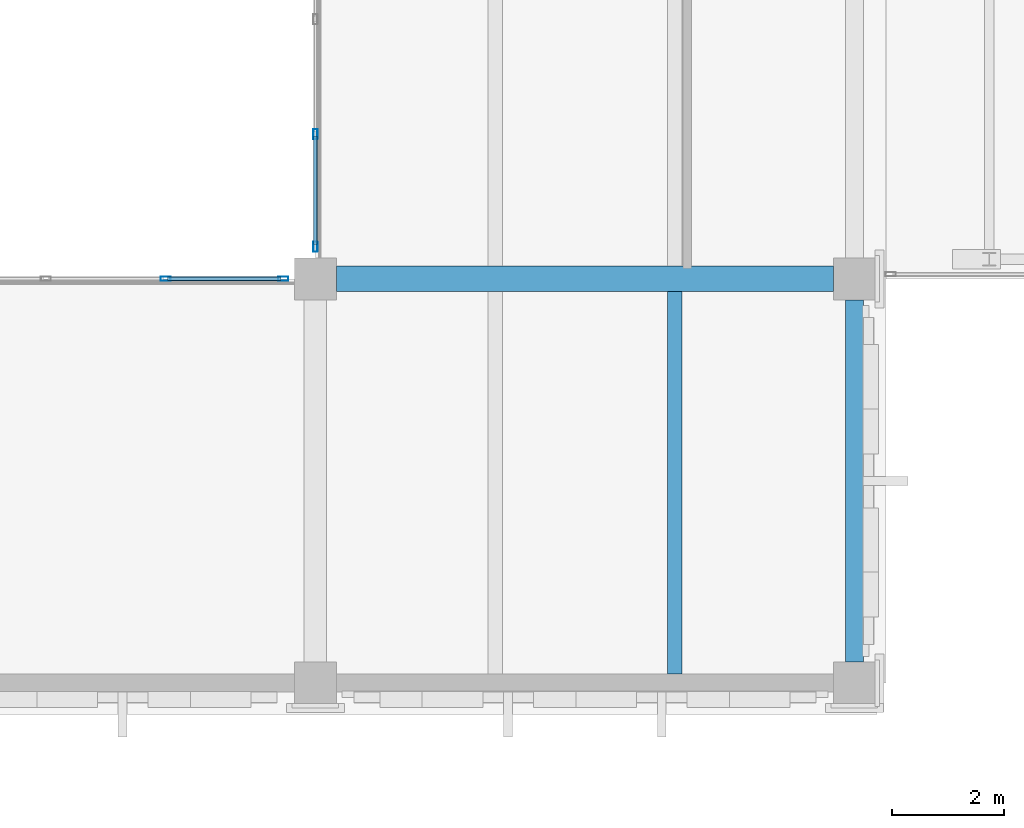
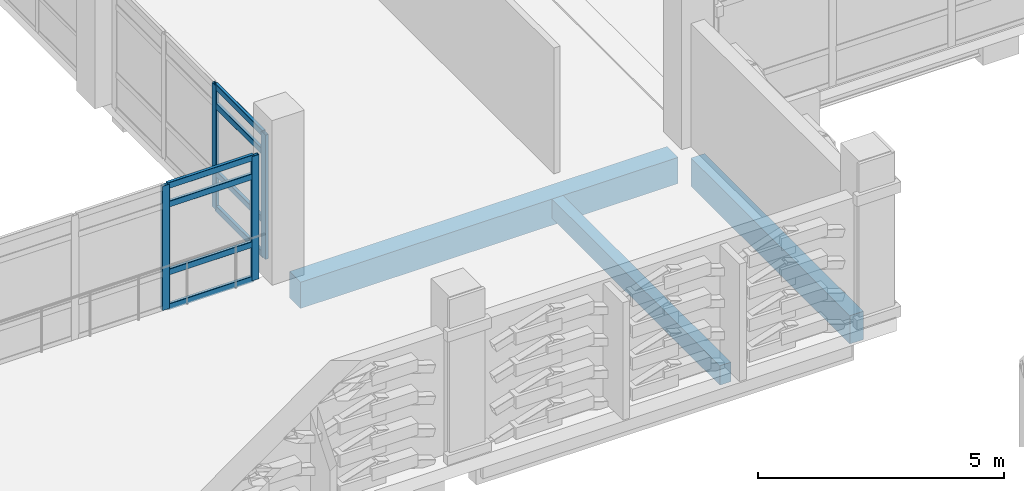
# One storey, part 100 of 180: 12 members, 3 beams, 2 elements without a shape of their own.
"""IFC4 building model written with IfcOpenShell, lengths in metres."""

import ifcopenshell
import ifcopenshell.guid

model = None  # the IFC model being written
_history = None  # IfcOwnerHistory: only IFC2X3 demands one
_inside = {}  # id of a spatial element -> (the spatial element, [elements in it])
_under = {}  # id of a project, library or spatial element -> (it, [spatial elements below it])
_declared = {}  # id of a project -> (the project, [libraries it declares])
_typed = {}  # id of a type object -> (the type object, [elements of that type])
_made_of = {}  # id of a material, layer set ... -> (it, [elements and type objects made of it])


def new_model(schema):
    """Start an empty IFC model of exactly this schema.

    Asked for "IFC4X3", IfcOpenShell would pick the latest addendum, in which some entities
    have other attributes; the version numbers below select the first issue.
    IFC2X3 requires an IfcOwnerHistory on every rooted entity: one is made here for all.
    """
    global model, _history
    if schema == "IFC4X3":
        model = ifcopenshell.file(schema_version=(4, 3, 0, 0))
    else:
        model = ifcopenshell.file(schema=schema)
    _inside.clear()
    _under.clear()
    _declared.clear()
    _typed.clear()
    _made_of.clear()
    _history = None
    if model.schema == "IFC2X3":
        org = make("IfcOrganization", Name="unknown")
        user = make(
            "IfcPersonAndOrganization",
            ThePerson=make("IfcPerson", FamilyName="unknown"),
            TheOrganization=org,
        )
        app = make(
            "IfcApplication",
            ApplicationDeveloper=org,
            Version="unknown",
            ApplicationFullName="unknown",
            ApplicationIdentifier="unknown",
        )
        _history = make(
            "IfcOwnerHistory",
            OwningUser=user,
            OwningApplication=app,
            ChangeAction="ADDED",
            CreationDate=0,
        )
    return model


def make(cls, **values):
    """One entity of the class cls with the attributes given. An attribute that is None is left unset."""
    return model.create_entity(
        cls, **{name: value for name, value in values.items() if value is not None}
    )


def rooted(cls, **values):
    """An entity with a GlobalId (a new one), such as an element, a storey or a relation."""
    return make(cls, GlobalId=ifcopenshell.guid.new(), OwnerHistory=_history, **values)


def si_unit(unit_type, name, prefix=None):
    """IfcSIUnit, for example si_unit("LENGTHUNIT", "METRE", prefix="MILLI")."""
    return make("IfcSIUnit", UnitType=unit_type, Prefix=prefix, Name=name)


def assignment(units):
    """IfcUnitAssignment: the units of a project."""
    return None if units is None else make("IfcUnitAssignment", Units=units)


def point(xyz):
    """IfcCartesianPoint."""
    return None if xyz is None else make("IfcCartesianPoint", Coordinates=xyz)


def direction(xyz):
    """IfcDirection."""
    return None if xyz is None else make("IfcDirection", DirectionRatios=xyz)


def frame(location, z_axis=None, x_axis=None):
    """IfcAxis2Placement3D, a coordinate frame: its origin and axes. An axis left out is left unset."""
    return make(
        "IfcAxis2Placement3D",
        Location=point(location),
        Axis=direction(z_axis),
        RefDirection=direction(x_axis),
    )


def frame_2d(location, x_axis=None):
    """IfcAxis2Placement2D, a coordinate frame in the plane: its origin and x axis."""
    return make(
        "IfcAxis2Placement2D", Location=point(location), RefDirection=direction(x_axis)
    )


def origin():
    """The frame at (0, 0, 0) with its axes left unset."""
    return frame((0.0, 0.0, 0.0))


def origin_2d():
    """The frame at (0, 0) in the plane with its x axis left unset."""
    return frame_2d((0.0, 0.0))


def place(relative_to, where):
    """IfcLocalPlacement: puts the frame where relative to a parent placement (None: the world)."""
    return make(
        "IfcLocalPlacement", PlacementRelTo=relative_to, RelativePlacement=where
    )


def context(
    kind, dimensions, precision=None, world=None, true_north=None, identifier=None
):
    """IfcGeometricRepresentationContext, for example the 3D "Model" context."""
    return make(
        "IfcGeometricRepresentationContext",
        ContextIdentifier=identifier,
        ContextType=kind,
        CoordinateSpaceDimension=dimensions,
        Precision=precision,
        WorldCoordinateSystem=world,
        TrueNorth=true_north,
    )


def subcontext(parent, identifier, kind, view, scale=None):
    """IfcGeometricRepresentationSubContext, for example "Body" below "Model"."""
    return make(
        "IfcGeometricRepresentationSubContext",
        ContextIdentifier=identifier,
        ContextType=kind,
        ParentContext=parent,
        TargetScale=scale,
        TargetView=view,
    )


def project(units=None, contexts=None):
    """IfcProject with its units and contexts."""
    return rooted(
        "IfcProject",
        Name="project",
        RepresentationContexts=contexts,
        UnitsInContext=assignment(units),
    )


def spatial(cls, under=None, at=None, **own):
    """A site, building, storey or space (cls), placed at a placement, below another one or the project."""
    s = rooted(cls, ObjectPlacement=at, **own)
    if under is not None:
        _under.setdefault(under.id(), (under, []))[1].append(s)
    return s


def profile(cls, at=None, kind="AREA", **sizes):
    """A parametric profile (cls). Its sizes go by their IFC names, for example OverallWidth=200.0."""
    return make(cls, ProfileType=kind, Position=at, **sizes)


def rectangle(**sizes):
    """IfcRectangleProfileDef."""
    return profile("IfcRectangleProfileDef", **sizes)


def hollow_rectangle(**sizes):
    """IfcRectangleHollowProfileDef."""
    return profile("IfcRectangleHollowProfileDef", **sizes)


def extrude(swept, where, along, depth):
    """IfcExtrudedAreaSolid: the profile swept, set in the frame where, extruded along a direction by depth."""
    return make(
        "IfcExtrudedAreaSolid",
        SweptArea=swept,
        Position=where,
        ExtrudedDirection=direction(along),
        Depth=depth,
    )


def shape(context_of_items, identifier, shape_type, items):
    """IfcShapeRepresentation: the items that make up one representation, for example the "Body"."""
    return make(
        "IfcShapeRepresentation",
        ContextOfItems=context_of_items,
        RepresentationIdentifier=identifier,
        RepresentationType=shape_type,
        Items=items,
    )


def material(Name=None, Category=None):
    """IfcMaterial."""
    return make("IfcMaterial", Name=Name, Category=Category)


def layer(
    of_material, thickness, ventilated=None, Name=None, Category=None, Priority=None
):
    """IfcMaterialLayer: one layer of a wall or slab, of a material (None: an air gap)."""
    return make(
        "IfcMaterialLayer",
        Material=of_material,
        LayerThickness=thickness,
        IsVentilated=ventilated,
        Name=Name,
        Category=Category,
        Priority=Priority,
    )


def layer_set(layers, Name=None):
    """IfcMaterialLayerSet."""
    return make("IfcMaterialLayerSet", MaterialLayers=layers, LayerSetName=Name)


def material_profile(
    of_material, cross_section, Name=None, Category=None, Priority=None
):
    """IfcMaterialProfile: a cross section and its material."""
    return make(
        "IfcMaterialProfile",
        Name=Name,
        Material=of_material,
        Profile=cross_section,
        Priority=Priority,
        Category=Category,
    )


def profile_set(profiles, Name=None, composite=None):
    """IfcMaterialProfileSet."""
    return make(
        "IfcMaterialProfileSet",
        Name=Name,
        MaterialProfiles=profiles,
        CompositeProfile=composite,
    )


def made_of(thing, what):
    """Note that an element or type object is made of a material, layer set ...; save() writes the relation."""
    if what is not None:
        _made_of.setdefault(what.id(), (what, []))[1].append(thing)
    return thing


def type_object(cls, material=None, **own):
    """A type object (cls), such as IfcWallType, which elements share."""
    return made_of(rooted(cls, **own), material)


def element(
    cls,
    number,
    at=None,
    inside=None,
    cuts=None,
    type_object=None,
    material=None,
    context=None,
    identifier="Body",
    shape_type=None,
    held_by="IfcProductDefinitionShape",
    body=None,
    shapes=None,
    **own,
):
    """One element of the class cls, such as IfcWall. Its Tag is "e" and its number.

    at: its placement. inside: the storey or other place that contains it. cuts: it is an
    opening in that element (IfcRelVoidsElement). A single representation is given by context,
    identifier, shape_type and body (its items); several are given by shapes. held_by: the class
    of the entity that holds the representations. save() writes the other relations.
    """
    e = rooted(cls, Tag="e%d" % number, ObjectPlacement=at, **own)
    if body is not None:
        shapes = [shape(context, identifier, shape_type, body)]
    if shapes is not None:
        e.Representation = make(held_by, Representations=shapes)
    if inside is not None:
        _inside.setdefault(inside.id(), (inside, []))[1].append(e)
    if cuts is not None:
        rooted(
            "IfcRelVoidsElement", RelatingBuildingElement=cuts, RelatedOpeningElement=e
        )
    if type_object is not None:
        _typed.setdefault(type_object.id(), (type_object, []))[1].append(e)
    return made_of(e, material)


def aggregate(whole, parts):
    """IfcRelAggregates: a whole, such as a stair, and the parts it consists of."""
    return rooted("IfcRelAggregates", RelatingObject=whole, RelatedObjects=parts)


def save(model, path):
    """Write the relations noted so far, then the file.

    IfcRelAggregates (storeys below a building ...), IfcRelContainedInSpatialStructure (elements
    in a storey), IfcRelDefinesByType, IfcRelAssociatesMaterial and IfcRelDeclares: one each for
    every whole, place, type object, material and project.
    """
    for whole, parts in _under.values():
        aggregate(whole, parts)
    for where, things in _inside.values():
        rooted(
            "IfcRelContainedInSpatialStructure",
            RelatedElements=things,
            RelatingStructure=where,
        )
    for kind, things in _typed.values():
        rooted("IfcRelDefinesByType", RelatedObjects=things, RelatingType=kind)
    for what, things in _made_of.values():
        rooted("IfcRelAssociatesMaterial", RelatedObjects=things, RelatingMaterial=what)
    for by, libraries in _declared.values():
        rooted("IfcRelDeclares", RelatingContext=by, RelatedDefinitions=libraries)
    model.write(path)


model = new_model("IFC4")

# Units and contexts
model_context = context("Model", 3, precision=1e-05, world=origin(), true_north=direction((0.0, 1.0)))
body_context = subcontext(model_context, "Body", "Model", "MODEL_VIEW")
ifc_project = project(units=[si_unit("LENGTHUNIT", "METRE"), si_unit("AREAUNIT", "SQUARE_METRE"), si_unit("VOLUMEUNIT", "CUBIC_METRE"), si_unit("PLANEANGLEUNIT", "RADIAN"), si_unit("MASSUNIT", "GRAM", prefix="KILO")], contexts=[model_context])

# Site, building, storey
site_placement = place(None, origin())
site = spatial("IfcSite", under=ifc_project, at=site_placement, CompositionType="ELEMENT")
building_placement = place(site_placement, origin())
building = spatial("IfcBuilding", under=site, at=building_placement, Name="Asteropetra Specialist Clinic", CompositionType="ELEMENT")
storey_placement = place(building_placement, frame((0.0, 0.0, 4.419921875)))
storey = spatial("IfcBuildingStorey", under=building, at=storey_placement, Name="L01", CompositionType="ELEMENT", Elevation=4.419921875)

# Beam
ifc_material_1 = material(Name="Concrete C35/45", Category="concrete")
ifc_material_profile_1 = material_profile(ifc_material_1, rectangle(XDim=0.449951171875, YDim=0.64990234375, at=origin_2d()), Name="RCB 450x650")
ifc_profile_set_1 = profile_set([ifc_material_profile_1], Name="Concrete C35/45")
beam_type_1 = type_object("IfcBeamType", Name="BM-RC450x650", PredefinedType="BEAM", material=ifc_profile_set_1)
beam_1_placement = place(storey_placement, frame((67.574951171875, 76.800048828125, -0.60498046875), z_axis=(1.0, 0.0, 0.0), x_axis=(0.0, 1.0, 0.0)))
element("IfcBeam", 1, at=beam_1_placement, inside=storey, type_object=beam_type_1, Name="Beam BBM06-0637", PredefinedType="BEAM", context=body_context, shape_type="SweptSolid", body=[
    extrude(rectangle(XDim=0.449951171875, YDim=0.64990234375, at=origin_2d()), origin(), (0.0, 0.0, 1.0), 8.85009765625),
])

# Curtain wall, members
ifc_material_2 = material(Name="Aluminium and low-E glass", Category="aluminium")
ifc_layer_1 = layer(ifc_material_2, 0.179931640625)
ifc_layer_set_1 = layer_set([ifc_layer_1], Name="Aluminium and low-E glass")
curtain_wall_type_1 = type_object("IfcCurtainWallType", Name="CW-SYS-04", PredefinedType="USERDEFINED", material=ifc_layer_set_1)
curtain_wall_1_placement = place(storey_placement, origin())
curtain_wall_1 = element("IfcCurtainWall", 2, at=curtain_wall_1_placement, inside=storey, type_object=curtain_wall_type_1, Name="Curtain Wall CW-027", ObjectType="UNITISED CURTAIN WALL", PredefinedType="USERDEFINED")
ifc_material_3 = material(Name="Aluminium 6063-T6", Category="aluminium")
ifc_material_profile_2 = material_profile(ifc_material_3, hollow_rectangle(XDim=0.074951171875, YDim=0.179931640625, WallThickness=0.00390625, InnerFilletRadius=0.00390625, OuterFilletRadius=0.008056640625, at=origin_2d()), Name="MUL 180x75x4.0")
ifc_profile_set_2 = profile_set([ifc_material_profile_2], Name="Aluminium 6063-T6")
member_type_1 = type_object("IfcMemberType", Name="CWM-180x75", PredefinedType="MULLION", material=ifc_profile_set_2)
member_1_placement = place(storey_placement, frame((64.532470703125, 76.800048828125, 0.0), z_axis=(0.0, 0.0, 1.0), x_axis=(0.0, 1.0, 0.0)))
member_1 = element("IfcMember", 3, at=member_1_placement, type_object=member_type_1, Name="CW-027 mullion 4", PredefinedType="MULLION", context=body_context, shape_type="SweptSolid", body=[
    extrude(hollow_rectangle(XDim=0.074951171875, YDim=0.179931640625, WallThickness=0.00390625, InnerFilletRadius=0.00390625, OuterFilletRadius=0.008056640625, at=origin_2d()), origin(), (0.0, 0.0, 1.0), 3.080078125),
])
member_2_placement = place(storey_placement, frame((66.62744140625, 76.800048828125, 0.0), z_axis=(0.0, 0.0, 1.0), x_axis=(0.0, 1.0, 0.0)))
member_2 = element("IfcMember", 4, at=member_2_placement, type_object=member_type_1, Name="CW-027 mullion 5", PredefinedType="MULLION", context=body_context, shape_type="SweptSolid", body=[
    extrude(hollow_rectangle(XDim=0.074951171875, YDim=0.179931640625, WallThickness=0.00390625, InnerFilletRadius=0.00390625, OuterFilletRadius=0.008056640625, at=origin_2d()), origin(), (0.0, 0.0, 1.0), 3.080078125),
])

ifc_material_4 = material(Name="Aluminium and low-E glass", Category="aluminium")
ifc_layer_2 = layer(ifc_material_4, 0.135009765625)
ifc_layer_set_2 = layer_set([ifc_layer_2], Name="Aluminium and low-E glass")
curtain_wall_type_2 = type_object("IfcCurtainWallType", Name="CW-SYS-06", PredefinedType="USERDEFINED", material=ifc_layer_set_2)
curtain_wall_2_placement = place(storey_placement, origin())
curtain_wall_2 = element("IfcCurtainWall", 5, at=curtain_wall_2_placement, inside=storey, type_object=curtain_wall_type_2, Name="Curtain Wall CW-030", ObjectType="UNITISED CURTAIN WALL", PredefinedType="USERDEFINED")
member_3_placement = place(storey_placement, frame((67.199951171875, 77.37255859375, 0.0), z_axis=(0.0, 0.0, 1.0), x_axis=(-1.0, 0.0, 0.0)))
member_3 = element("IfcMember", 6, at=member_3_placement, type_object=member_type_1, Name="CW-030 mullion 1", PredefinedType="MULLION", context=body_context, shape_type="SweptSolid", body=[
    extrude(hollow_rectangle(XDim=0.074951171875, YDim=0.179931640625, WallThickness=0.00390625, InnerFilletRadius=0.00390625, OuterFilletRadius=0.008056640625, at=origin_2d()), origin(), (0.0, 0.0, 1.0), 3.080078125),
])
member_4_placement = place(storey_placement, frame((67.199951171875, 79.37841796875, 0.0), z_axis=(0.0, 0.0, 1.0), x_axis=(-1.0, 0.0, 0.0)))
member_4 = element("IfcMember", 7, at=member_4_placement, type_object=member_type_1, Name="CW-030 mullion 2", PredefinedType="MULLION", context=body_context, shape_type="SweptSolid", body=[
    extrude(hollow_rectangle(XDim=0.074951171875, YDim=0.179931640625, WallThickness=0.00390625, InnerFilletRadius=0.00390625, OuterFilletRadius=0.008056640625, at=origin_2d()), origin(), (0.0, 0.0, 1.0), 3.080078125),
])

# Member
ifc_material_5 = material(Name="Aluminium 6063-T6", Category="aluminium")
ifc_material_profile_3 = material_profile(ifc_material_5, hollow_rectangle(XDim=0.074951171875, YDim=0.14990234375, WallThickness=0.00390625, InnerFilletRadius=0.00390625, OuterFilletRadius=0.008056640625, at=origin_2d()), Name="TRN 150x75x4.0")
ifc_profile_set_3 = profile_set([ifc_material_profile_3], Name="Aluminium 6063-T6")
member_type_2 = type_object("IfcMemberType", Name="CWT-150x75", PredefinedType="USERDEFINED", material=ifc_profile_set_3)
member_5_placement = place(storey_placement, frame((64.570068359375, 76.800048828125, 0.03759765625), z_axis=(1.0, 0.0, 0.0), x_axis=(0.0, 1.0, 0.0)))
member_5 = element("IfcMember", 8, at=member_5_placement, type_object=member_type_2, Name="CW-027 transom 4.1", ObjectType="TRANSOM", PredefinedType="USERDEFINED", context=body_context, shape_type="SweptSolid", body=[
    extrude(hollow_rectangle(XDim=0.074951171875, YDim=0.14990234375, WallThickness=0.00390625, InnerFilletRadius=0.00390625, OuterFilletRadius=0.008056640625, at=origin_2d()), origin(), (0.0, 0.0, 1.0), 2.02001953125),
])

member_6_placement = place(storey_placement, frame((64.570068359375, 76.800048828125, 0.900146484375), z_axis=(1.0, 0.0, 0.0), x_axis=(0.0, 1.0, 0.0)))
member_6 = element("IfcMember", 9, at=member_6_placement, type_object=member_type_2, Name="CW-027 transom 4.2", ObjectType="TRANSOM", PredefinedType="USERDEFINED", context=body_context, shape_type="SweptSolid", body=[
    extrude(hollow_rectangle(XDim=0.074951171875, YDim=0.14990234375, WallThickness=0.00390625, InnerFilletRadius=0.00390625, OuterFilletRadius=0.008056640625, at=origin_2d()), origin(), (0.0, 0.0, 1.0), 2.02001953125),
])

member_7_placement = place(storey_placement, frame((64.570068359375, 76.800048828125, 2.580078125), z_axis=(1.0, 0.0, 0.0), x_axis=(0.0, 1.0, 0.0)))
member_7 = element("IfcMember", 10, at=member_7_placement, type_object=member_type_2, Name="CW-027 transom 4.3", ObjectType="TRANSOM", PredefinedType="USERDEFINED", context=body_context, shape_type="SweptSolid", body=[
    extrude(hollow_rectangle(XDim=0.074951171875, YDim=0.14990234375, WallThickness=0.00390625, InnerFilletRadius=0.00390625, OuterFilletRadius=0.008056640625, at=origin_2d()), origin(), (0.0, 0.0, 1.0), 2.02001953125),
])

member_8_placement = place(storey_placement, frame((64.570068359375, 76.800048828125, 3.04248046875), z_axis=(1.0, 0.0, 0.0), x_axis=(0.0, 1.0, 0.0)))
member_8 = element("IfcMember", 11, at=member_8_placement, type_object=member_type_2, Name="CW-027 transom 4.4", ObjectType="TRANSOM", PredefinedType="USERDEFINED", context=body_context, shape_type="SweptSolid", body=[
    extrude(hollow_rectangle(XDim=0.074951171875, YDim=0.14990234375, WallThickness=0.00390625, InnerFilletRadius=0.00390625, OuterFilletRadius=0.008056640625, at=origin_2d()), origin(), (0.0, 0.0, 1.0), 2.02001953125),
])

aggregate(curtain_wall_1, [member_1, member_2, member_5, member_6, member_7, member_8])

member_9_placement = place(storey_placement, frame((67.199951171875, 77.409912109375, 0.03759765625), z_axis=(0.0, 1.0, 0.0), x_axis=(-1.0, 0.0, 0.0)))
member_9 = element("IfcMember", 12, at=member_9_placement, type_object=member_type_2, Name="CW-030 transom 1.1", ObjectType="TRANSOM", PredefinedType="USERDEFINED", context=body_context, shape_type="SweptSolid", body=[
    extrude(hollow_rectangle(XDim=0.074951171875, YDim=0.14990234375, WallThickness=0.00390625, InnerFilletRadius=0.00390625, OuterFilletRadius=0.008056640625, at=origin_2d()), origin(), (0.0, 0.0, 1.0), 1.930908203125),
])

member_10_placement = place(storey_placement, frame((67.199951171875, 77.409912109375, 0.900146484375), z_axis=(0.0, 1.0, 0.0), x_axis=(-1.0, 0.0, 0.0)))
member_10 = element("IfcMember", 13, at=member_10_placement, type_object=member_type_2, Name="CW-030 transom 1.2", ObjectType="TRANSOM", PredefinedType="USERDEFINED", context=body_context, shape_type="SweptSolid", body=[
    extrude(hollow_rectangle(XDim=0.074951171875, YDim=0.14990234375, WallThickness=0.00390625, InnerFilletRadius=0.00390625, OuterFilletRadius=0.008056640625, at=origin_2d()), origin(), (0.0, 0.0, 1.0), 1.930908203125),
])

member_11_placement = place(storey_placement, frame((67.199951171875, 77.409912109375, 2.580078125), z_axis=(0.0, 1.0, 0.0), x_axis=(-1.0, 0.0, 0.0)))
member_11 = element("IfcMember", 14, at=member_11_placement, type_object=member_type_2, Name="CW-030 transom 1.3", ObjectType="TRANSOM", PredefinedType="USERDEFINED", context=body_context, shape_type="SweptSolid", body=[
    extrude(hollow_rectangle(XDim=0.074951171875, YDim=0.14990234375, WallThickness=0.00390625, InnerFilletRadius=0.00390625, OuterFilletRadius=0.008056640625, at=origin_2d()), origin(), (0.0, 0.0, 1.0), 1.930908203125),
])

member_12_placement = place(storey_placement, frame((67.199951171875, 77.409912109375, 3.04248046875), z_axis=(0.0, 1.0, 0.0), x_axis=(-1.0, 0.0, 0.0)))
member_12 = element("IfcMember", 15, at=member_12_placement, type_object=member_type_2, Name="CW-030 transom 1.4", ObjectType="TRANSOM", PredefinedType="USERDEFINED", context=body_context, shape_type="SweptSolid", body=[
    extrude(hollow_rectangle(XDim=0.074951171875, YDim=0.14990234375, WallThickness=0.00390625, InnerFilletRadius=0.00390625, OuterFilletRadius=0.008056640625, at=origin_2d()), origin(), (0.0, 0.0, 1.0), 1.930908203125),
])

aggregate(curtain_wall_2, [member_3, member_4, member_9, member_10, member_11, member_12])

# Beams
ifc_material_6 = material(Name="Concrete C35/45", Category="concrete")
ifc_material_profile_4 = material_profile(ifc_material_6, rectangle(XDim=0.260009765625, YDim=0.47998046875, at=origin_2d()), Name="RCJ 260x480")
ifc_profile_set_4 = profile_set([ifc_material_profile_4], Name="Concrete C35/45")
beam_type_2 = type_object("IfcBeamType", Name="JST-RC260x480", PredefinedType="JOIST", material=ifc_profile_set_4)
beam_2_placement = place(storey_placement, frame((73.60009765625, 69.760009765625, -0.52001953125), z_axis=(0.0, 1.0, 0.0), x_axis=(-1.0, 0.0, 0.0)))
element("IfcBeam", 16, at=beam_2_placement, inside=storey, type_object=beam_type_2, Name="Joist JJST02-0684", PredefinedType="JOIST", context=body_context, shape_type="SweptSolid", body=[
    extrude(rectangle(XDim=0.260009765625, YDim=0.47998046875, at=origin_2d()), origin(), (0.0, 0.0, 1.0), 6.81494140625),
])
ifc_material_7 = material(Name="Concrete C35/45", Category="concrete")
ifc_material_profile_5 = material_profile(ifc_material_7, rectangle(XDim=0.320068359375, YDim=0.699951171875, at=origin_2d()), Name="RCS 320x700")
ifc_profile_set_5 = profile_set([ifc_material_profile_5], Name="Concrete C35/45")
beam_type_3 = type_object("IfcBeamType", Name="SPN-RC320x700", PredefinedType="SPANDREL", material=ifc_profile_set_5)
beam_3_placement = place(storey_placement, frame((76.800048828125, 69.97509765625, -0.6298828125), z_axis=(0.0, 1.0, 0.0), x_axis=(-1.0, 0.0, 0.0)))
element("IfcBeam", 17, at=beam_3_placement, inside=storey, type_object=beam_type_3, Name="Beam BSPN02-0678", PredefinedType="SPANDREL", context=body_context, shape_type="SweptSolid", body=[
    extrude(rectangle(XDim=0.320068359375, YDim=0.699951171875, at=origin_2d()), origin(), (0.0, 0.0, 1.0), 6.449951171875),
])

save(model, "model.ifc")
